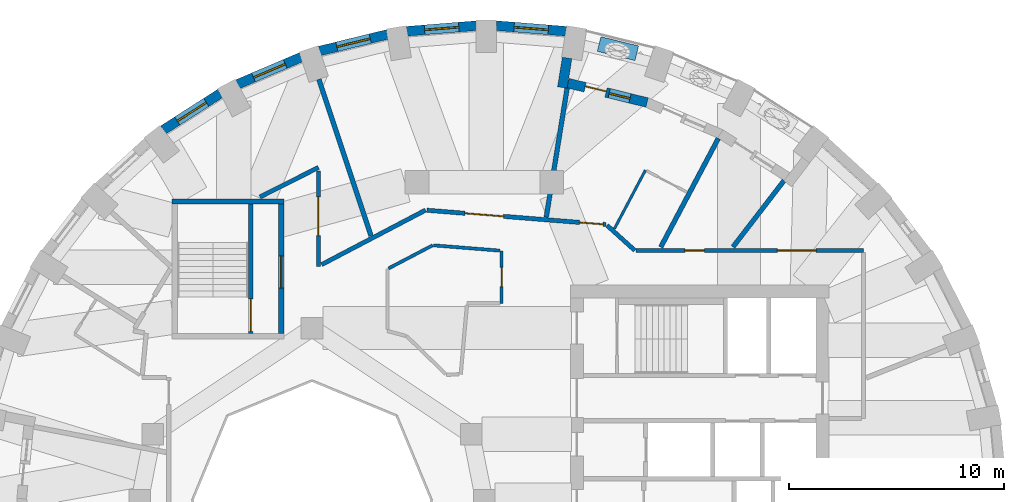
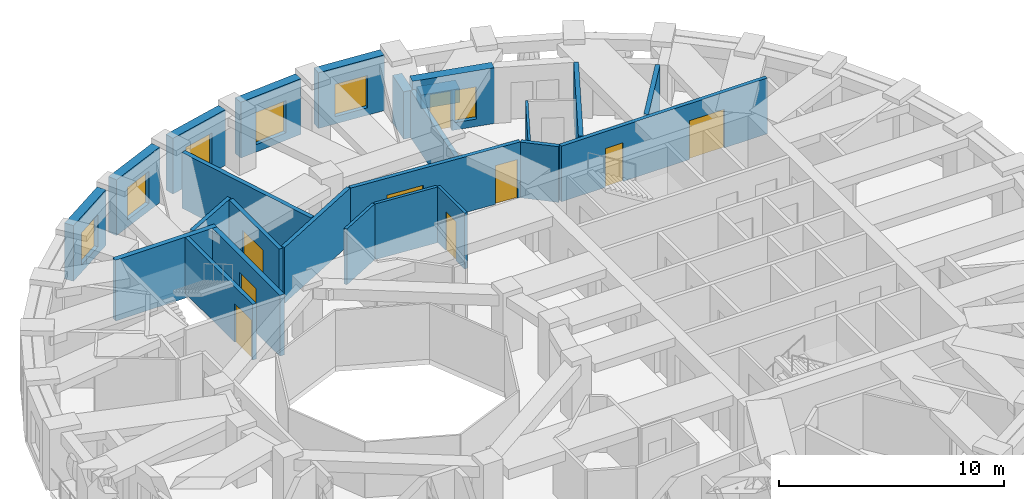
# One storey, part 7 of 12: 25 walls, 9 doors, 6 windows, 15 openings.
"""IFC4 building model written with IfcOpenShell, lengths in metres."""

from ifc_helpers import new_model, si_unit, direction, frame, frame_2d, origin, place, context, subcontext, project, spatial, rectangle, extrude, material, layer, layer_set, constituent, constituent_set, type_object, element, fill, save


model = new_model("IFC4")

# Units and contexts
model_context = context("Model", 3, precision=1e-05, world=origin(), true_north=direction((0.0, 1.0)))
body_context = subcontext(model_context, "Body", "Model", "MODEL_VIEW")
ifc_project = project(units=[si_unit("LENGTHUNIT", "METRE"), si_unit("AREAUNIT", "SQUARE_METRE"), si_unit("VOLUMEUNIT", "CUBIC_METRE"), si_unit("PLANEANGLEUNIT", "RADIAN"), si_unit("MASSUNIT", "GRAM", prefix="KILO")], contexts=[model_context])

# Site, building, storey
site_placement = place(None, origin())
site = spatial("IfcSite", under=ifc_project, at=site_placement, CompositionType="ELEMENT")
building_placement = place(site_placement, origin())
building = spatial("IfcBuilding", under=site, at=building_placement, Name="Taillehof Tower", CompositionType="ELEMENT")
storey_placement = place(building_placement, frame((0.0, 0.0, 148.39990234375)))
storey = spatial("IfcBuildingStorey", under=building, at=storey_placement, Name="L41", CompositionType="ELEMENT", Elevation=148.39990234375)

# Wall, opening, window
ifc_material_1 = material(Name="Brick masonry", Category="masonry")
ifc_layer_1 = layer(ifc_material_1, 0.449951171875)
ifc_layer_set_1 = layer_set([ifc_layer_1], Name="Brick infill wall 450")
wall_type_1 = type_object("IfcWallType", Name="Brick infill wall 450", PredefinedType="SOLIDWALL", material=ifc_layer_set_1)
wall_1_placement = place(storey_placement, frame((3.80078125, 21.778076171875, 0.0), z_axis=(0.0, 0.0, 1.0), x_axis=(-0.996812416891, 0.079780984773, 0.0)))
wall_1 = element("IfcWall", 1, at=wall_1_placement, inside=storey, type_object=wall_type_1, Name="Brick wall L41 bay 9", PredefinedType="SOLIDWALL", context=body_context, shape_type="SweptSolid", body=[
    extrude(rectangle(XDim=3.256103515625, YDim=0.449951171875, at=frame_2d((1.6279296875, 0.0))), origin(), (0.0, 0.0, 1.0), 3.02001953125),
])
opening_1_placement = place(wall_1_placement, frame((0.827880859375, 0.0, 0.39990234375)))
opening_1 = element("IfcOpeningElement", 2, at=opening_1_placement, cuts=wall_1, Name="Opening W3", PredefinedType="OPENING", context=body_context, shape_type="SweptSolid", body=[
    extrude(rectangle(XDim=1.60009765625, YDim=1.75, at=frame_2d((0.800048828125, 0.875))), frame((0.0, 0.23486328125, 0.0), z_axis=(0.0, -1.0, 0.0), x_axis=(1.0, 0.0, 0.0)), (0.0, 0.0, 1.0), 0.469970703125),
])
ifc_material_2 = material(Name="Aluminium window frame with clear double glazing", Category="aluminium")
window_type_1 = type_object("IfcWindowType", Name="Deep-set window 1600x1750", PartitioningType="SINGLE_PANEL", PredefinedType="WINDOW", material=ifc_material_2)
window_1_placement = place(opening_1_placement, origin())
window_1 = element("IfcWindow", 3, at=window_1_placement, inside=storey, type_object=window_type_1, Name="W3", OverallHeight=1.75, OverallWidth=1.60009765625, PartitioningType="SINGLE_PANEL", PredefinedType="WINDOW", context=body_context, shape_type="SweptSolid", body=[
    extrude(rectangle(XDim=1.60009765625, YDim=1.75, at=frame_2d((0.800048828125, 0.875))), frame((0.0, 0.034912109375, 0.0), z_axis=(0.0, -1.0, 0.0), x_axis=(1.0, 0.0, 0.0)), (0.0, 0.0, 1.0), 0.06005859375),
])
fill(opening_1, window_1)

wall_2_placement = place(storey_placement, frame((-0.35498046875, 22.037841796875, 0.0), z_axis=(0.0, 0.0, 1.0), x_axis=(-0.996812416891, -0.079780984773, 0.0)))
wall_2 = element("IfcWall", 4, at=wall_2_placement, inside=storey, type_object=wall_type_1, Name="Brick wall L41 bay 10", PredefinedType="SOLIDWALL", context=body_context, shape_type="SweptSolid", body=[
    extrude(rectangle(XDim=3.256103515625, YDim=0.449951171875, at=frame_2d((1.6279296875, 0.0))), origin(), (0.0, 0.0, 1.0), 3.02001953125),
])
opening_2_placement = place(wall_2_placement, frame((0.827880859375, 0.0, 0.39990234375)))
opening_2 = element("IfcOpeningElement", 5, at=opening_2_placement, cuts=wall_2, Name="Opening W3", PredefinedType="OPENING", context=body_context, shape_type="SweptSolid", body=[
    extrude(rectangle(XDim=1.60009765625, YDim=1.75, at=frame_2d((0.800048828125, 0.875))), frame((0.0, 0.23486328125, 0.0), z_axis=(0.0, -1.0, 0.0), x_axis=(1.0, 0.0, 0.0)), (0.0, 0.0, 1.0), 0.469970703125),
])
window_2_placement = place(opening_2_placement, origin())
window_2 = element("IfcWindow", 6, at=window_2_placement, inside=storey, type_object=window_type_1, Name="W3", OverallHeight=1.75, OverallWidth=1.60009765625, PartitioningType="SINGLE_PANEL", PredefinedType="WINDOW", context=body_context, shape_type="SweptSolid", body=[
    extrude(rectangle(XDim=1.60009765625, YDim=1.75, at=frame_2d((0.800048828125, 0.875))), frame((0.0, 0.034912109375, 0.0), z_axis=(0.0, -1.0, 0.0), x_axis=(1.0, 0.0, 0.0)), (0.0, 0.0, 1.0), 0.06005859375),
])
fill(opening_2, window_2)

wall_3_placement = place(storey_placement, frame((-4.499267578125, 21.633056640625, 0.0), z_axis=(0.0, 0.0, 1.0), x_axis=(-0.971232901476, -0.238131583563, 0.0)))
wall_3 = element("IfcWall", 7, at=wall_3_placement, inside=storey, type_object=wall_type_1, Name="Brick wall L41 bay 11", PredefinedType="SOLIDWALL", context=body_context, shape_type="SweptSolid", body=[
    extrude(rectangle(XDim=3.236572265625, YDim=0.449951171875, at=frame_2d((1.6181640625, 0.0))), origin(), (0.0, 0.0, 1.0), 3.02001953125),
])
opening_3_placement = place(wall_3_placement, frame((0.818359375, 0.0, 0.39990234375)))
opening_3 = element("IfcOpeningElement", 8, at=opening_3_placement, cuts=wall_3, Name="Opening W3", PredefinedType="OPENING", context=body_context, shape_type="SweptSolid", body=[
    extrude(rectangle(XDim=1.60009765625, YDim=1.75, at=frame_2d((0.800048828125, 0.875))), frame((0.0, 0.23486328125, 0.0), z_axis=(0.0, -1.0, 0.0), x_axis=(1.0, 0.0, 0.0)), (0.0, 0.0, 1.0), 0.469970703125),
])
window_3_placement = place(opening_3_placement, origin())
window_3 = element("IfcWindow", 9, at=window_3_placement, inside=storey, type_object=window_type_1, Name="W3", OverallHeight=1.75, OverallWidth=1.60009765625, PartitioningType="SINGLE_PANEL", PredefinedType="WINDOW", context=body_context, shape_type="SweptSolid", body=[
    extrude(rectangle(XDim=1.60009765625, YDim=1.75, at=frame_2d((0.800048828125, 0.875))), frame((0.0, 0.034912109375, 0.0), z_axis=(0.0, -1.0, 0.0), x_axis=(1.0, 0.0, 0.0)), (0.0, 0.0, 1.0), 0.06005859375),
])
fill(opening_3, window_3)

wall_4_placement = place(storey_placement, frame((-8.50634765625, 20.574462890625, 0.0), z_axis=(0.0, 0.0, 1.0), x_axis=(-0.919798725687, -0.392390499663, 0.0)))
wall_4 = element("IfcWall", 10, at=wall_4_placement, inside=storey, type_object=wall_type_1, Name="Brick wall L41 bay 12", PredefinedType="SOLIDWALL", context=body_context, shape_type="SweptSolid", body=[
    extrude(rectangle(XDim=3.200439453125, YDim=0.449951171875, at=frame_2d((1.60009765625, 0.0))), origin(), (0.0, 0.0, 1.0), 3.02001953125),
])
opening_4_placement = place(wall_4_placement, frame((0.80029296875, 0.0, 0.39990234375)))
opening_4 = element("IfcOpeningElement", 11, at=opening_4_placement, cuts=wall_4, Name="Opening W3", PredefinedType="OPENING", context=body_context, shape_type="SweptSolid", body=[
    extrude(rectangle(XDim=1.60009765625, YDim=1.75, at=frame_2d((0.800048828125, 0.875))), frame((0.0, 0.23486328125, 0.0), z_axis=(0.0, -1.0, 0.0), x_axis=(1.0, 0.0, 0.0)), (0.0, 0.0, 1.0), 0.469970703125),
])
window_4_placement = place(opening_4_placement, origin())
window_4 = element("IfcWindow", 12, at=window_4_placement, inside=storey, type_object=window_type_1, Name="W3", OverallHeight=1.75, OverallWidth=1.60009765625, PartitioningType="SINGLE_PANEL", PredefinedType="WINDOW", context=body_context, shape_type="SweptSolid", body=[
    extrude(rectangle(XDim=1.60009765625, YDim=1.75, at=frame_2d((0.800048828125, 0.875))), frame((0.0, 0.034912109375, 0.0), z_axis=(0.0, -1.0, 0.0), x_axis=(1.0, 0.0, 0.0)), (0.0, 0.0, 1.0), 0.06005859375),
])
fill(opening_4, window_4)

wall_5_placement = place(storey_placement, frame((-12.2548828125, 18.893310546875, 0.0), z_axis=(0.0, 0.0, 1.0), x_axis=(-0.842030726237, -0.539429565442, 0.0)))
wall_5 = element("IfcWall", 13, at=wall_5_placement, inside=storey, type_object=wall_type_1, Name="Brick wall L41 bay 13", PredefinedType="SOLIDWALL", context=body_context, shape_type="SweptSolid", body=[
    extrude(rectangle(XDim=3.1513671875, YDim=0.449951171875, at=frame_2d((1.57568359375, 0.0))), origin(), (0.0, 0.0, 1.0), 3.02001953125),
])
opening_5_placement = place(wall_5_placement, frame((0.775634765625, 0.0, 0.39990234375)))
opening_5 = element("IfcOpeningElement", 14, at=opening_5_placement, cuts=wall_5, Name="Opening W3", PredefinedType="OPENING", context=body_context, shape_type="SweptSolid", body=[
    extrude(rectangle(XDim=1.60009765625, YDim=1.75, at=frame_2d((0.800048828125, 0.875))), frame((0.0, 0.23486328125, 0.0), z_axis=(0.0, -1.0, 0.0), x_axis=(1.0, 0.0, 0.0)), (0.0, 0.0, 1.0), 0.469970703125),
])
window_5_placement = place(opening_5_placement, origin())
window_5 = element("IfcWindow", 15, at=window_5_placement, inside=storey, type_object=window_type_1, Name="W3", OverallHeight=1.75, OverallWidth=1.60009765625, PartitioningType="SINGLE_PANEL", PredefinedType="WINDOW", context=body_context, shape_type="SweptSolid", body=[
    extrude(rectangle(XDim=1.60009765625, YDim=1.75, at=frame_2d((0.800048828125, 0.875))), frame((0.0, 0.034912109375, 0.0), z_axis=(0.0, -1.0, 0.0), x_axis=(1.0, 0.0, 0.0)), (0.0, 0.0, 1.0), 0.06005859375),
])
fill(opening_5, window_5)

# Wall
wall_6_placement = place(storey_placement, frame((3.84375, 20.537841796875, 0.0), z_axis=(0.0, 0.0, 1.0), x_axis=(-0.159641024018, -0.98717513312, 0.0)))
element("IfcWall", 16, at=wall_6_placement, inside=storey, type_object=wall_type_1, Name="Brick reveal L41 pocket 1", PredefinedType="SOLIDWALL", context=body_context, shape_type="SweptSolid", body=[
    extrude(rectangle(XDim=1.39013671875, YDim=0.449951171875, at=frame_2d((0.695068359375, 0.0))), origin(), (0.0, 0.0, 1.0), 2.570068359375),
])

# Wall, openings, door, window
wall_7_placement = place(storey_placement, frame((7.56298828125, 18.46630859375, 0.0), z_axis=(0.0, 0.0, 1.0), x_axis=(-0.97110866251, 0.238637728782, 0.0)))
wall_7 = element("IfcWall", 17, at=wall_7_placement, inside=storey, type_object=wall_type_1, Name="Brick wall L41 pocket bay 8", PredefinedType="SOLIDWALL", context=body_context, shape_type="SweptSolid", body=[
    extrude(rectangle(XDim=3.789306640625, YDim=0.449951171875, at=frame_2d((1.89453125, 0.0))), origin(), (0.0, 0.0, 1.0), 3.02001953125),
])
opening_6_placement = place(wall_7_placement, frame((0.81982421875, 0.0, 0.39990234375)))
opening_6 = element("IfcOpeningElement", 18, at=opening_6_placement, cuts=wall_7, Name="Opening W5", PredefinedType="OPENING", context=body_context, shape_type="SweptSolid", body=[
    extrude(rectangle(XDim=1.0, YDim=1.75, at=frame_2d((0.5, 0.875))), frame((0.0, 0.23486328125, 0.0), z_axis=(0.0, -1.0, 0.0), x_axis=(1.0, 0.0, 0.0)), (0.0, 0.0, 1.0), 0.469970703125),
])
opening_7_placement = place(wall_7_placement, frame((1.9697265625, 0.0, 0.0)))
opening_7 = element("IfcOpeningElement", 19, at=opening_7_placement, cuts=wall_7, Name="Opening D4196", PredefinedType="OPENING", context=body_context, shape_type="SweptSolid", body=[
    extrude(rectangle(XDim=1.0, YDim=2.14990234375, at=frame_2d((0.5, 1.074951171875))), frame((0.0, 0.23486328125, 0.0), z_axis=(0.0, -1.0, 0.0), x_axis=(1.0, 0.0, 0.0)), (0.0, 0.0, 1.0), 0.469970703125),
])
ifc_material_3 = material(Name="Aluminium door frame with clear double glazing", Category="aluminium")
door_type_1 = type_object("IfcDoorType", Name="Balcony door 1000x2150", OperationType="SINGLE_SWING_RIGHT", PredefinedType="DOOR", material=ifc_material_3)
door_1_placement = place(opening_7_placement, frame((1.0, 0.0, 0.0), z_axis=(0.0, 0.0, 1.0), x_axis=(-1.0, 0.0, 0.0)))
door_1 = element("IfcDoor", 20, at=door_1_placement, inside=storey, type_object=door_type_1, Name="Balcony door L41 bay 8", OperationType="SINGLE_SWING_LEFT", OverallHeight=2.14990234375, OverallWidth=1.0, PredefinedType="DOOR", context=body_context, shape_type="SweptSolid", body=[
    extrude(rectangle(XDim=1.0, YDim=2.14990234375, at=frame_2d((0.5, 1.074951171875))), frame((0.0, 0.0751953125, 0.0), z_axis=(0.0, -1.0, 0.0), x_axis=(1.0, 0.0, 0.0)), (0.0, 0.0, 1.0), 0.050048828125),
])
fill(opening_7, door_1)
ifc_material_4 = material(Name="Aluminium window frame with clear double glazing", Category="aluminium")
window_type_2 = type_object("IfcWindowType", Name="Fixed window 1000x1750", PartitioningType="SINGLE_PANEL", PredefinedType="WINDOW", material=ifc_material_4)
window_6_placement = place(opening_6_placement, origin())
window_6 = element("IfcWindow", 21, at=window_6_placement, inside=storey, type_object=window_type_2, Name="W5", OverallHeight=1.75, OverallWidth=1.0, PartitioningType="SINGLE_PANEL", PredefinedType="WINDOW", context=body_context, shape_type="SweptSolid", body=[
    extrude(rectangle(XDim=1.0, YDim=1.75, at=frame_2d((0.5, 0.875))), frame((0.0, 0.034912109375, 0.0), z_axis=(0.0, -1.0, 0.0), x_axis=(1.0, 0.0, 0.0)), (0.0, 0.0, 1.0), 0.06005859375),
])
fill(opening_6, window_6)

# Wall
ifc_material_5 = material(Name="Gypsum board on steel studs, two layers each side", Category="steel")
ifc_layer_2 = layer(ifc_material_5, 0.199951171875)
ifc_layer_set_2 = layer_set([ifc_layer_2], Name="Compartment wall corridor 200")
wall_type_2 = type_object("IfcWallType", Name="Compartment wall corridor 200", PredefinedType="PARTITIONING", material=ifc_layer_set_2)
wall_8_placement = place(storey_placement, frame((-10.416259765625, 14.08154296875, 0.0), z_axis=(0.0, 0.0, 1.0), x_axis=(0.892396808139, 0.451251522793, 0.0)))
element("IfcWall", 22, at=wall_8_placement, inside=storey, type_object=wall_type_2, Name="Compartment wall", PredefinedType="PARTITIONING", context=body_context, shape_type="SweptSolid", body=[
    extrude(rectangle(XDim=3.0439453125, YDim=0.199951171875, at=frame_2d((1.52197265625, 0.0))), origin(), (0.0, 0.0, 1.0), 3.02001953125),
])

# Wall, opening, door
wall_9_placement = place(storey_placement, frame((-7.699951171875, 15.294921875, 0.0), z_axis=(0.0, 0.0, 1.0), x_axis=(0.0, -1.0, 0.0)))
wall_9 = element("IfcWall", 23, at=wall_9_placement, inside=storey, type_object=wall_type_2, Name="Compartment wall", PredefinedType="PARTITIONING", context=body_context, shape_type="SweptSolid", body=[
    extrude(rectangle(XDim=4.42724609375, YDim=0.199951171875, at=frame_2d((2.213623046875, 0.0))), origin(), (0.0, 0.0, 1.0), 3.02001953125),
])
opening_8_placement = place(wall_9_placement, frame((1.20703125, 0.0, 0.0)))
opening_8 = element("IfcOpeningElement", 24, at=opening_8_placement, cuts=wall_9, Name="Opening D4144", PredefinedType="OPENING", context=body_context, shape_type="SweptSolid", body=[
    extrude(rectangle(XDim=1.800048828125, YDim=2.10009765625, at=frame_2d((0.89990234375, 1.050048828125))), frame((0.0, 0.10986328125, 0.0), z_axis=(0.0, -1.0, 0.0), x_axis=(1.0, 0.0, 0.0)), (0.0, 0.0, 1.0), 0.219970703125),
])
ifc_material_6 = material(Name="Timber door leaf in steel frame", Category="steel")
door_type_2 = type_object("IfcDoorType", Name="Lounge and meeting room double door EI 30 1800 x 2100", OperationType="SINGLE_SWING_LEFT", PredefinedType="DOOR", material=ifc_material_6)
door_2_placement = place(opening_8_placement, origin())
door_2 = element("IfcDoor", 25, at=door_2_placement, inside=storey, type_object=door_type_2, Name="D4144", OperationType="DOUBLE_DOOR_SINGLE_SWING", OverallHeight=2.10009765625, OverallWidth=1.800048828125, PredefinedType="DOOR", context=body_context, shape_type="SweptSolid", body=[
    extrude(rectangle(XDim=1.800048828125, YDim=2.10009765625, at=frame_2d((0.89990234375, 1.050048828125))), frame((0.0, 0.02490234375, 0.0), z_axis=(0.0, -1.0, 0.0), x_axis=(1.0, 0.0, 0.0)), (0.0, 0.0, 1.0), 0.050048828125),
])
fill(opening_8, door_2)

# Wall
wall_10_placement = place(storey_placement, frame((-7.557373046875, 10.94189453125, 0.0), z_axis=(0.0, 0.0, 1.0), x_axis=(0.885672830659, 0.464309850244, 0.0)))
element("IfcWall", 26, at=wall_10_placement, inside=storey, type_object=wall_type_2, Name="Compartment wall", PredefinedType="PARTITIONING", context=body_context, shape_type="SweptSolid", body=[
    extrude(rectangle(XDim=5.45166015625, YDim=0.199951171875, at=frame_2d((2.725830078125, 0.0))), origin(), (0.0, 0.0, 1.0), 3.02001953125),
])

# Wall, openings, doors
wall_11_placement = place(storey_placement, frame((-2.6689453125, 13.468017578125, 0.0), z_axis=(0.0, 0.0, 1.0), x_axis=(0.996831622407, -0.079540659849, 0.0)))
wall_11 = element("IfcWall", 27, at=wall_11_placement, inside=storey, type_object=wall_type_2, Name="Compartment wall", PredefinedType="PARTITIONING", context=body_context, shape_type="SweptSolid", body=[
    extrude(rectangle(XDim=8.3486328125, YDim=0.199951171875, at=frame_2d((4.17431640625, 0.0))), origin(), (0.0, 0.0, 1.0), 3.02001953125),
])
opening_9_placement = place(wall_11_placement, frame((7.108642578125, 0.0, 0.0)))
opening_9 = element("IfcOpeningElement", 28, at=opening_9_placement, cuts=wall_11, Name="Opening D4141", PredefinedType="OPENING", context=body_context, shape_type="SweptSolid", body=[
    extrude(rectangle(XDim=1.10009765625, YDim=2.10009765625, at=frame_2d((0.550048828125, 1.050048828125))), frame((0.0, 0.10986328125, 0.0), z_axis=(0.0, -1.0, 0.0), x_axis=(1.0, 0.0, 0.0)), (0.0, 0.0, 1.0), 0.219970703125),
])
opening_10_placement = place(wall_11_placement, frame((1.774658203125, 0.0, 0.0)))
opening_10 = element("IfcOpeningElement", 29, at=opening_10_placement, cuts=wall_11, Name="Opening D4143", PredefinedType="OPENING", context=body_context, shape_type="SweptSolid", body=[
    extrude(rectangle(XDim=1.800048828125, YDim=2.10009765625, at=frame_2d((0.89990234375, 1.050048828125))), frame((0.0, 0.10986328125, 0.0), z_axis=(0.0, -1.0, 0.0), x_axis=(1.0, 0.0, 0.0)), (0.0, 0.0, 1.0), 0.219970703125),
])
ifc_material_7 = material(Name="Timber door leaf in steel frame", Category="steel")
door_type_3 = type_object("IfcDoorType", Name="Accessible guest room door EI 30 1100 x 2100", OperationType="SINGLE_SWING_LEFT", PredefinedType="DOOR", material=ifc_material_7)
door_3_placement = place(opening_9_placement, origin())
door_3 = element("IfcDoor", 30, at=door_3_placement, inside=storey, type_object=door_type_3, Name="D4141", OperationType="SINGLE_SWING_LEFT", OverallHeight=2.10009765625, OverallWidth=1.10009765625, PredefinedType="DOOR", context=body_context, shape_type="SweptSolid", body=[
    extrude(rectangle(XDim=1.10009765625, YDim=2.10009765625, at=frame_2d((0.550048828125, 1.050048828125))), frame((0.0, 0.02490234375, 0.0), z_axis=(0.0, -1.0, 0.0), x_axis=(1.0, 0.0, 0.0)), (0.0, 0.0, 1.0), 0.050048828125),
])
fill(opening_9, door_3)
door_4_placement = place(opening_10_placement, origin())
door_4 = element("IfcDoor", 31, at=door_4_placement, inside=storey, type_object=door_type_2, Name="D4143", OperationType="DOUBLE_DOOR_SINGLE_SWING", OverallHeight=2.10009765625, OverallWidth=1.800048828125, PredefinedType="DOOR", context=body_context, shape_type="SweptSolid", body=[
    extrude(rectangle(XDim=1.800048828125, YDim=2.10009765625, at=frame_2d((0.89990234375, 1.050048828125))), frame((0.0, 0.02490234375, 0.0), z_axis=(0.0, -1.0, 0.0), x_axis=(1.0, 0.0, 0.0)), (0.0, 0.0, 1.0), 0.050048828125),
])
fill(opening_10, door_4)

# Wall
wall_12_placement = place(storey_placement, frame((5.697998046875, 12.763671875, 0.0), z_axis=(0.0, 0.0, 1.0), x_axis=(0.742944876657, -0.669352605321, 0.0)))
element("IfcWall", 32, at=wall_12_placement, inside=storey, type_object=wall_type_2, Name="Compartment wall", PredefinedType="PARTITIONING", context=body_context, shape_type="SweptSolid", body=[
    extrude(rectangle(XDim=1.73828125, YDim=0.199951171875, at=frame_2d((0.869140625, 0.0))), origin(), (0.0, 0.0, 1.0), 3.02001953125),
])

# Wall, openings, doors
wall_13_placement = place(storey_placement, frame((7.049560546875, 11.60009765625, 0.0), z_axis=(0.0, 0.0, 1.0), x_axis=(1.0, 0.0, 0.0)))
wall_13 = element("IfcWall", 33, at=wall_13_placement, inside=storey, type_object=wall_type_2, Name="Compartment wall", PredefinedType="PARTITIONING", context=body_context, shape_type="SweptSolid", body=[
    extrude(rectangle(XDim=10.550537109375, YDim=0.199951171875, at=frame_2d((5.275390625, 0.0))), origin(), (0.0, 0.0, 1.0), 3.02001953125),
])
opening_11_placement = place(wall_13_placement, frame((2.263671875, 0.0, 0.0)))
opening_11 = element("IfcOpeningElement", 34, at=opening_11_placement, cuts=wall_13, Name="Opening D4140", PredefinedType="OPENING", context=body_context, shape_type="SweptSolid", body=[
    extrude(rectangle(XDim=0.89990234375, YDim=2.10009765625, at=frame_2d((0.449951171875, 1.050048828125))), frame((0.0, 0.10986328125, 0.0), z_axis=(0.0, -1.0, 0.0), x_axis=(1.0, 0.0, 0.0)), (0.0, 0.0, 1.0), 0.219970703125),
])
opening_12_placement = place(wall_13_placement, frame((6.552734375, 0.0, 0.0)))
opening_12 = element("IfcOpeningElement", 35, at=opening_12_placement, cuts=wall_13, Name="Opening D4159", PredefinedType="OPENING", context=body_context, shape_type="SweptSolid", body=[
    extrude(rectangle(XDim=1.800048828125, YDim=2.10009765625, at=frame_2d((0.89990234375, 1.050048828125))), frame((0.0, 0.10986328125, 0.0), z_axis=(0.0, -1.0, 0.0), x_axis=(1.0, 0.0, 0.0)), (0.0, 0.0, 1.0), 0.219970703125),
])
door_5_placement = place(opening_12_placement, origin())
door_5 = element("IfcDoor", 36, at=door_5_placement, inside=storey, type_object=door_type_2, Name="D4159", OperationType="DOUBLE_DOOR_SINGLE_SWING", OverallHeight=2.10009765625, OverallWidth=1.800048828125, PredefinedType="DOOR", context=body_context, shape_type="SweptSolid", body=[
    extrude(rectangle(XDim=1.800048828125, YDim=2.10009765625, at=frame_2d((0.89990234375, 1.050048828125))), frame((0.0, 0.02490234375, 0.0), z_axis=(0.0, -1.0, 0.0), x_axis=(1.0, 0.0, 0.0)), (0.0, 0.0, 1.0), 0.050048828125),
])
fill(opening_12, door_5)
ifc_material_8 = material(Name="Timber door leaf in steel frame", Category="steel")
door_type_4 = type_object("IfcDoorType", Name="Service room door EI 30 900 x 2100", OperationType="SINGLE_SWING_LEFT", PredefinedType="DOOR", material=ifc_material_8)
door_6_placement = place(opening_11_placement, origin())
door_6 = element("IfcDoor", 37, at=door_6_placement, inside=storey, type_object=door_type_4, Name="D4140", OperationType="SINGLE_SWING_LEFT", OverallHeight=2.10009765625, OverallWidth=0.89990234375, PredefinedType="DOOR", context=body_context, shape_type="SweptSolid", body=[
    extrude(rectangle(XDim=0.89990234375, YDim=2.10009765625, at=frame_2d((0.449951171875, 1.050048828125))), frame((0.0, 0.02490234375, 0.0), z_axis=(0.0, -1.0, 0.0), x_axis=(1.0, 0.0, 0.0)), (0.0, 0.0, 1.0), 0.050048828125),
])
fill(opening_11, door_6)

# Walls
ifc_material_9 = material(Name="Gypsum board on double steel studs with mineral wool", Category="steel")
ifc_layer_3 = layer(ifc_material_9, 0.219970703125)
ifc_layer_set_3 = layer_set([ifc_layer_3], Name="Compartment wall guest room 220")
wall_type_3 = type_object("IfcWallType", Name="Compartment wall guest room 220", PredefinedType="PARTITIONING", material=ifc_layer_set_3)
wall_14_placement = place(storey_placement, frame((13.916015625, 14.846435546875, 0.0), z_axis=(0.0, 0.0, 1.0), x_axis=(-0.610023079405, -0.792383646091, 0.0)))
element("IfcWall", 38, at=wall_14_placement, inside=storey, type_object=wall_type_3, Name="Compartment wall", PredefinedType="PARTITIONING", context=body_context, shape_type="SweptSolid", body=[
    extrude(rectangle(XDim=3.890380859375, YDim=0.219970703125, at=frame_2d((1.9453125, 0.0))), origin(), (0.0, 0.0, 1.0), 3.02001953125),
])
wall_15_placement = place(storey_placement, frame((10.865234375, 16.805908203125, 0.0), z_axis=(0.0, 0.0, 1.0), x_axis=(-0.468046615648, -0.883703777054, 0.0)))
element("IfcWall", 39, at=wall_15_placement, inside=storey, type_object=wall_type_3, Name="Compartment wall", PredefinedType="PARTITIONING", context=body_context, shape_type="SweptSolid", body=[
    extrude(rectangle(XDim=5.718017578125, YDim=0.219970703125, at=frame_2d((2.85888671875, 0.0))), origin(), (0.0, 0.0, 1.0), 3.02001953125),
])
wall_16_placement = place(storey_placement, frame((3.846923828125, 19.14794921875, 0.0), z_axis=(0.0, 0.0, 1.0), x_axis=(-0.159656618209, -0.987172611179, 0.0)))
element("IfcWall", 40, at=wall_16_placement, inside=storey, type_object=wall_type_3, Name="Compartment wall", PredefinedType="PARTITIONING", context=body_context, shape_type="SweptSolid", body=[
    extrude(rectangle(XDim=6.079833984375, YDim=0.219970703125, at=frame_2d((3.0400390625, 0.0))), origin(), (0.0, 0.0, 1.0), 2.570068359375),
])
wall_17_placement = place(storey_placement, frame((-7.682861328125, 19.544921875, 0.0), z_axis=(0.0, 0.0, 1.0), x_axis=(0.316706037399, -0.94852374028, 0.0)))
element("IfcWall", 41, at=wall_17_placement, inside=storey, type_object=wall_type_3, Name="Compartment wall", PredefinedType="PARTITIONING", context=body_context, shape_type="SweptSolid", body=[
    extrude(rectangle(XDim=7.65625, YDim=0.219970703125, at=frame_2d((3.828125, 0.0))), origin(), (0.0, 0.0, 1.0), 3.02001953125),
])

# Wall, opening, door
ifc_material_10 = material(Name="Gypsum board on steel studs, two layers each side", Category="steel")
ifc_layer_4 = layer(ifc_material_10, 0.14990234375)
ifc_layer_set_4 = layer_set([ifc_layer_4], Name="Compartment wall service room 150")
wall_type_4 = type_object("IfcWallType", Name="Compartment wall service room 150", PredefinedType="PARTITIONING", material=ifc_layer_set_4)
wall_18_placement = place(storey_placement, frame((0.800048828125, 11.586181640625, 0.0), z_axis=(0.0, 0.0, 1.0), x_axis=(0.0, -1.0, 0.0)))
wall_18 = element("IfcWall", 42, at=wall_18_placement, inside=storey, type_object=wall_type_4, Name="Compartment wall", PredefinedType="PARTITIONING", context=body_context, shape_type="SweptSolid", body=[
    extrude(rectangle(XDim=2.436279296875, YDim=0.14990234375, at=frame_2d((1.21826171875, 0.0))), origin(), (0.0, 0.0, 1.0), 3.02001953125),
])
opening_13_placement = place(wall_18_placement, frame((0.76806640625, 0.0, 0.0)))
opening_13 = element("IfcOpeningElement", 43, at=opening_13_placement, cuts=wall_18, Name="Opening D4160", PredefinedType="OPENING", context=body_context, shape_type="SweptSolid", body=[
    extrude(rectangle(XDim=0.89990234375, YDim=2.10009765625, at=frame_2d((0.449951171875, 1.050048828125))), frame((0.0, 0.0849609375, 0.0), z_axis=(0.0, -1.0, 0.0), x_axis=(1.0, 0.0, 0.0)), (0.0, 0.0, 1.0), 0.169921875),
])
door_7_placement = place(opening_13_placement, origin())
door_7 = element("IfcDoor", 44, at=door_7_placement, inside=storey, type_object=door_type_4, Name="D4160", OperationType="SINGLE_SWING_RIGHT", OverallHeight=2.10009765625, OverallWidth=0.89990234375, PredefinedType="DOOR", context=body_context, shape_type="SweptSolid", body=[
    extrude(rectangle(XDim=0.89990234375, YDim=2.10009765625, at=frame_2d((0.449951171875, 1.050048828125))), frame((0.0, 0.02490234375, 0.0), z_axis=(0.0, -1.0, 0.0), x_axis=(1.0, 0.0, 0.0)), (0.0, 0.0, 1.0), 0.050048828125),
])
fill(opening_13, door_7)

# Walls
wall_19_placement = place(storey_placement, frame((-4.446533203125, 10.766357421875, 0.0), z_axis=(0.0, 0.0, 1.0), x_axis=(0.885701482048, 0.464255193507, 0.0)))
element("IfcWall", 45, at=wall_19_placement, inside=storey, type_object=wall_type_4, Name="Compartment wall", PredefinedType="PARTITIONING", context=body_context, shape_type="SweptSolid", body=[
    extrude(rectangle(XDim=2.3154296875, YDim=0.14990234375, at=frame_2d((1.15771484375, 0.0))), origin(), (0.0, 0.0, 1.0), 3.02001953125),
])
wall_20_placement = place(storey_placement, frame((-2.355712890625, 11.837890625, 0.0), z_axis=(0.0, 0.0, 1.0), x_axis=(0.996845649151, -0.079364675829, 0.0)))
element("IfcWall", 46, at=wall_20_placement, inside=storey, type_object=wall_type_4, Name="Compartment wall", PredefinedType="PARTITIONING", context=body_context, shape_type="SweptSolid", body=[
    extrude(rectangle(XDim=3.08544921875, YDim=0.14990234375, at=frame_2d((1.542724609375, 0.0))), origin(), (0.0, 0.0, 1.0), 3.02001953125),
])
ifc_material_11 = material(Name="Gypsum board on steel studs, moisture resistant", Category="steel")
ifc_layer_5 = layer(ifc_material_11, 0.1201171875)
ifc_layer_set_5 = layer_set([ifc_layer_5], Name="En-suite wall 120")
wall_type_5 = type_object("IfcWallType", Name="En-suite wall 120", PredefinedType="PARTITIONING", material=ifc_layer_set_5)
wall_21_placement = place(storey_placement, frame((6.04248046875, 12.614013671875, 0.0), z_axis=(0.0, 0.0, 1.0), x_axis=(0.46804844257, 0.883702809438, 0.0)))
element("IfcWall", 47, at=wall_21_placement, inside=storey, type_object=wall_type_5, Name="En-suite wall", PredefinedType="PARTITIONING", context=body_context, shape_type="SweptSolid", body=[
    extrude(rectangle(XDim=3.07080078125, YDim=0.1201171875, at=frame_2d((1.535400390625, 0.0))), origin(), (0.0, 0.0, 1.0), 3.02001953125),
])
ifc_material_12 = material(Name="Concrete C30/37 precast", Category="concrete")
ifc_constituent_1 = constituent(ifc_material_12, Name="Structure", Category="concrete")
ifc_material_13 = material(Name="Insulated lining")
ifc_constituent_2 = constituent(ifc_material_13, Name="Lining")
ifc_constituent_set = constituent_set(constituents=[ifc_constituent_1, ifc_constituent_2], Name="Planter trough 700x750")
wall_type_6 = type_object("IfcWallType", Name="Planter trough 700x750", PredefinedType="USERDEFINED", material=ifc_constituent_set)
wall_22_placement = place(storey_placement, frame((7.077392578125, 20.756591796875, 0.0), z_axis=(0.0, 0.0, 1.0), x_axis=(-0.971249321581, 0.238064603265, 0.0)))
element("IfcWall", 48, at=wall_22_placement, inside=storey, type_object=wall_type_6, Name="Planter L41 bay 8", ObjectType="PLANTER", PredefinedType="USERDEFINED", context=body_context, shape_type="SweptSolid", body=[
    extrude(rectangle(XDim=1.7998046875, YDim=0.699951171875, at=frame_2d((0.89990234375, 0.0))), origin(), (0.0, 0.0, 1.0), 0.75),
])

# Wall, opening, door
ifc_material_14 = material(Name="Concrete C50/60", Category="concrete")
ifc_layer_6 = layer(ifc_material_14, 0.199951171875)
ifc_layer_set_6 = layer_set([ifc_layer_6], Name="Shaft wall C50/60 200")
wall_type_7 = type_object("IfcWallType", Name="Shaft wall C50/60 200", PredefinedType="SHEAR", material=ifc_layer_set_6)
wall_23_placement = place(storey_placement, frame((-10.85009765625, 7.75, 0.0), z_axis=(0.0, 0.0, 1.0), x_axis=(0.0, 1.0, 0.0)))
wall_23 = element("IfcWall", 49, at=wall_23_placement, inside=storey, type_object=wall_type_7, Name="Shaft wall SW", PredefinedType="SHEAR", context=body_context, shape_type="SweptSolid", body=[
    extrude(rectangle(XDim=6.0, YDim=0.199951171875, at=frame_2d((3.0, 0.0))), origin(), (0.0, 0.0, 1.0), 3.02001953125),
])
opening_14_placement = place(wall_23_placement, frame((0.10009765625, 0.0, 0.0)))
opening_14 = element("IfcOpeningElement", 50, at=opening_14_placement, cuts=wall_23, Name="Opening D4112", PredefinedType="OPENING", context=body_context, shape_type="SweptSolid", body=[
    extrude(rectangle(XDim=1.5, YDim=2.10009765625, at=frame_2d((0.75, 1.050048828125))), frame((0.0, 0.10986328125, 0.0), z_axis=(0.0, -1.0, 0.0), x_axis=(1.0, 0.0, 0.0)), (0.0, 0.0, 1.0), 0.219970703125),
])
ifc_material_15 = material(Name="Steel-faced fire door", Category="steel")
door_type_5 = type_object("IfcDoorType", Name="Stair door 1500x2100", OperationType="DOUBLE_DOOR_SINGLE_SWING", PredefinedType="DOOR", material=ifc_material_15)
door_8_placement = place(opening_14_placement, origin())
door_8 = element("IfcDoor", 51, at=door_8_placement, inside=storey, type_object=door_type_5, Name="Stair lobby door S3", OperationType="DOUBLE_DOOR_SINGLE_SWING", OverallHeight=2.10009765625, OverallWidth=1.5, PredefinedType="DOOR", context=body_context, shape_type="SweptSolid", body=[
    extrude(rectangle(XDim=1.5, YDim=2.10009765625, at=frame_2d((0.75, 1.050048828125))), frame((0.0, 0.02490234375, 0.0), z_axis=(0.0, -1.0, 0.0), x_axis=(1.0, 0.0, 0.0)), (0.0, 0.0, 1.0), 0.050048828125),
])
fill(opening_14, door_8)

ifc_material_16 = material(Name="Concrete C50/60", Category="concrete")
ifc_layer_7 = layer(ifc_material_16, 0.25)
ifc_layer_set_7 = layer_set([ifc_layer_7], Name="Stair wall C50/60 250")
wall_type_8 = type_object("IfcWallType", Name="Stair wall C50/60 250", PredefinedType="SHEAR", material=ifc_layer_set_7)
wall_24_placement = place(storey_placement, frame((-9.425048828125, 7.75, -0.27978515625), z_axis=(0.0, 0.0, 1.0), x_axis=(0.0, 1.0, 0.0)))
wall_24 = element("IfcWall", 52, at=wall_24_placement, inside=storey, type_object=wall_type_8, Name="Stair wall SC", PredefinedType="SHEAR", context=body_context, shape_type="SweptSolid", body=[
    extrude(rectangle(XDim=6.0, YDim=0.25, at=frame_2d((3.0, 0.0))), origin(), (0.0, 0.0, 1.0), 3.2998046875),
])
opening_15_placement = place(wall_24_placement, frame((2.10009765625, 0.0, 0.280029296875)))
opening_15 = element("IfcOpeningElement", 53, at=opening_15_placement, cuts=wall_24, Name="Opening D4115", PredefinedType="OPENING", context=body_context, shape_type="SweptSolid", body=[
    extrude(rectangle(XDim=1.5, YDim=2.10009765625, at=frame_2d((0.75, 1.050048828125))), frame((0.0, 0.135009765625, 0.0), z_axis=(0.0, -1.0, 0.0), x_axis=(1.0, 0.0, 0.0)), (0.0, 0.0, 1.0), 0.27001953125),
])
door_9_placement = place(opening_15_placement, origin())
door_9 = element("IfcDoor", 54, at=door_9_placement, inside=storey, type_object=door_type_5, Name="Stair door S3", OperationType="DOUBLE_DOOR_SINGLE_SWING", OverallHeight=2.10009765625, OverallWidth=1.5, PredefinedType="DOOR", context=body_context, shape_type="SweptSolid", body=[
    extrude(rectangle(XDim=1.5, YDim=2.10009765625, at=frame_2d((0.75, 1.050048828125))), frame((0.0, 0.02490234375, 0.0), z_axis=(0.0, -1.0, 0.0), x_axis=(1.0, 0.0, 0.0)), (0.0, 0.0, 1.0), 0.050048828125),
])
fill(opening_15, door_9)

# Wall
wall_25_placement = place(storey_placement, frame((-14.5, 13.875, -0.27978515625), z_axis=(0.0, 0.0, 1.0), x_axis=(1.0, 0.0, 0.0)))
element("IfcWall", 55, at=wall_25_placement, inside=storey, type_object=wall_type_8, Name="Stair wall SC", PredefinedType="SHEAR", context=body_context, shape_type="SweptSolid", body=[
    extrude(rectangle(XDim=5.199951171875, YDim=0.25, at=frame_2d((2.60009765625, 0.0))), origin(), (0.0, 0.0, 1.0), 3.2998046875),
])

save(model, "model.ifc")
